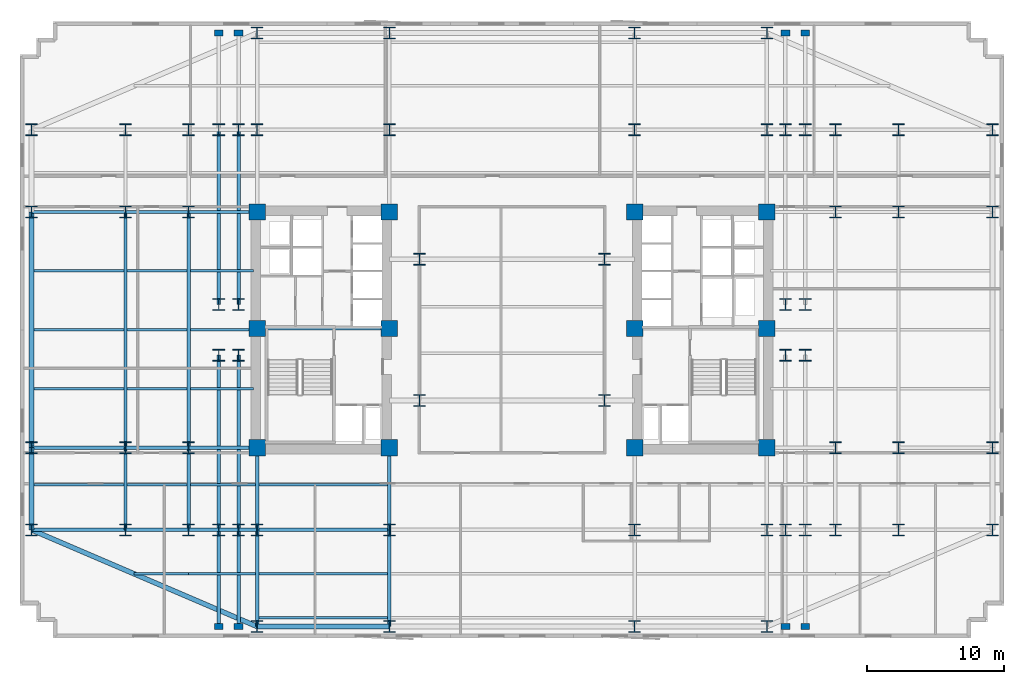
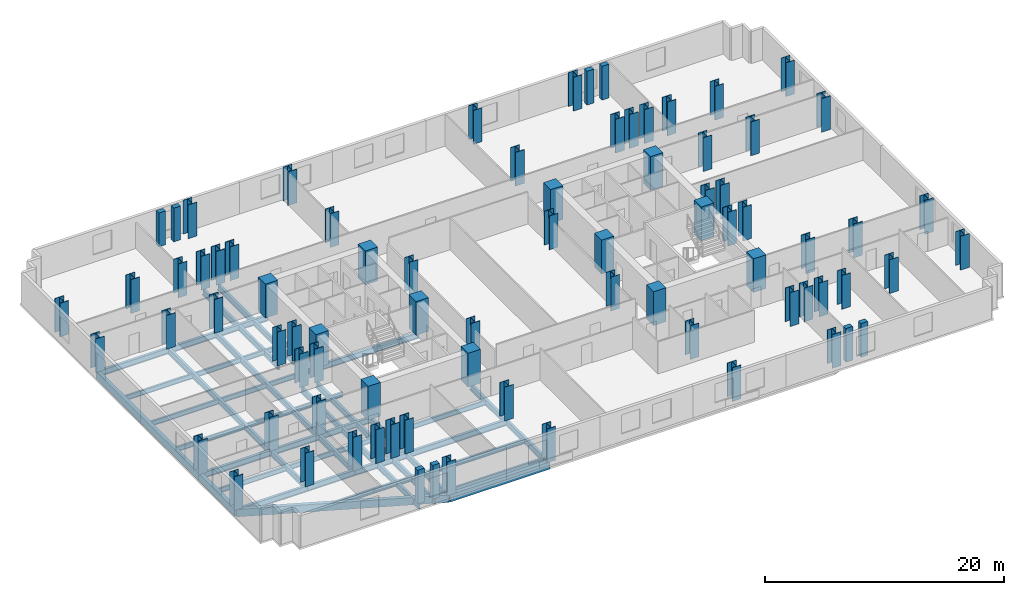
# One storey, part 1 of 10: 80 columns, 46 beams.
"""IFC4 building model written with IfcOpenShell, lengths in metres."""

from ifc_helpers import new_model, si_unit, direction, frame, origin, origin_2d, place, context, subcontext, project, spatial, rectangle, i_section, extrude, material, material_profile, profile_set, type_object, element, save


model = new_model("IFC4")

# Units and contexts
model_context = context("Model", 3, precision=1e-05, world=origin(), true_north=direction((0.0, 1.0)))
body_context = subcontext(model_context, "Body", "Model", "MODEL_VIEW")
ifc_project = project(units=[si_unit("LENGTHUNIT", "METRE"), si_unit("AREAUNIT", "SQUARE_METRE"), si_unit("VOLUMEUNIT", "CUBIC_METRE"), si_unit("PLANEANGLEUNIT", "RADIAN"), si_unit("MASSUNIT", "GRAM", prefix="KILO")], contexts=[model_context])

# Site, building, storey
site_placement = place(None, origin())
site = spatial("IfcSite", under=ifc_project, at=site_placement, CompositionType="ELEMENT")
building_placement = place(site_placement, origin())
building = spatial("IfcBuilding", under=site, at=building_placement, Name="Velakula Bourse", CompositionType="ELEMENT")
storey_placement = place(building_placement, frame((0.0, 0.0, 48.449951171875)))
storey = spatial("IfcBuildingStorey", under=building, at=storey_placement, Name="L12", CompositionType="ELEMENT", Elevation=48.449951171875)

# Columns
ifc_material_1 = material(Name="Concrete M70 (fck 70 MPa)", Category="concrete")
ifc_material_profile_1 = material_profile(ifc_material_1, rectangle(XDim=1.199951171875, YDim=1.199951171875, at=origin_2d()), Name="Concrete M70 (fck 70 MPa)")
ifc_profile_set_1 = profile_set([ifc_material_profile_1], Name="Concrete M70 (fck 70 MPa)")
column_type_1 = type_object("IfcColumnType", Name="COL-RC-1200", PredefinedType="COLUMN", material=ifc_profile_set_1)
for number, where, z_axis, x_axis, name in (
    (1, (-8.949951171875, -8.60009765625, 0.0), (0.0, 0.0, 1.0), (1.0, 0.0, 0.0), "L12 Core Boundary Column 01"),
    (2, (-8.949951171875, 0.10009765625, 0.0), (0.0, 0.0, 1.0), (1.0, 0.0, 0.0), "L12 Core Boundary Column 02"),
    (3, (-8.949951171875, 8.60009765625, 0.0), (0.0, 0.0, 1.0), (1.0, 0.0, 0.0), "L12 Core Boundary Column 03"),
    (4, (-18.60009765625, -8.60009765625, 0.0), (0.0, 0.0, 1.0), (1.0, 0.0, 0.0), "L12 Core Boundary Column 04"),
    (5, (-18.60009765625, 0.10009765625, 0.0), (0.0, 0.0, 1.0), (1.0, 0.0, 0.0), "L12 Core Boundary Column 05"),
    (6, (-18.60009765625, 8.60009765625, 0.0), (0.0, 0.0, 1.0), (1.0, 0.0, 0.0), "L12 Core Boundary Column 06"),
    (7, (8.949951171875, -8.60009765625, 0.0), (0.0, 0.0, 1.0), (1.0, 0.0, 0.0), "L12 Core Boundary Column 07"),
    (8, (8.949951171875, 0.10009765625, 0.0), (0.0, 0.0, 1.0), (1.0, 0.0, 0.0), "L12 Core Boundary Column 08"),
    (9, (8.949951171875, 8.60009765625, 0.0), (0.0, 0.0, 1.0), (1.0, 0.0, 0.0), "L12 Core Boundary Column 09"),
    (10, (18.60009765625, -8.60009765625, 0.0), (0.0, 0.0, 1.0), (1.0, 0.0, 0.0), "L12 Core Boundary Column 10"),
    (11, (18.60009765625, 0.10009765625, 0.0), (0.0, 0.0, 1.0), (1.0, 0.0, 0.0), "L12 Core Boundary Column 11"),
    (12, (18.60009765625, 8.60009765625, 0.0), (0.0, 0.0, 1.0), (1.0, 0.0, 0.0), "L12 Core Boundary Column 12"),
):
    element("IfcColumn", number, at=place(storey_placement, frame(where, z_axis=z_axis, x_axis=x_axis)), inside=storey, type_object=column_type_1, Name=name, PredefinedType="COLUMN", context=body_context, shape_type="SweptSolid", body=[
        extrude(rectangle(XDim=1.199951171875, YDim=1.199951171875, at=origin_2d()), origin(), (0.0, 0.0, 1.0), 3.449951171875),
    ])
ifc_material_2 = material(Name="Steel IS 2062 Grade 450 (E450)", Category="steel")
ifc_material_profile_2 = material_profile(ifc_material_2, i_section(OverallWidth=0.85009765625, OverallDepth=0.85009765625, WebThickness=0.031982421875, FlangeThickness=0.048095703125, at=origin_2d()), Name="Steel IS 2062 Grade 450 (E450)")
ifc_profile_set_2 = profile_set([ifc_material_profile_2], Name="Steel IS 2062 Grade 450 (E450)")
column_type_2 = type_object("IfcColumnType", Name="COL-STL-850", PredefinedType="COLUMN", material=ifc_profile_set_2)
for number, where, z_axis, x_axis, name in (
    (13, (-6.75, -5.14990234375, 0.0), (0.0, 0.0, 1.0), (1.0, 0.0, 0.0), "L12 Central Spine Column 01"),
    (14, (-6.75, 5.14990234375, 0.0), (0.0, 0.0, 1.0), (1.0, 0.0, 0.0), "L12 Central Spine Column 02"),
    (15, (6.75, -5.14990234375, 0.0), (0.0, 0.0, 1.0), (1.0, 0.0, 0.0), "L12 Central Spine Column 03"),
    (16, (6.75, 5.14990234375, 0.0), (0.0, 0.0, 1.0), (1.0, 0.0, 0.0), "L12 Central Spine Column 04"),
    (17, (-21.39990234375, -14.60009765625, 0.0), (0.0, 0.0, 1.0), (1.0, 0.0, 0.0), "L12 Tower Fulcrum Column 01"),
    (18, (-21.39990234375, 14.60009765625, 0.0), (0.0, 0.0, 1.0), (1.0, 0.0, 0.0), "L12 Tower Fulcrum Column 02"),
    (19, (-19.949951171875, -14.60009765625, 0.0), (0.0, 0.0, 1.0), (1.0, 0.0, 0.0), "L12 Tower Fulcrum Column 03"),
    (20, (-19.949951171875, 14.60009765625, 0.0), (0.0, 0.0, 1.0), (1.0, 0.0, 0.0), "L12 Tower Fulcrum Column 04"),
    (21, (-18.60009765625, -14.60009765625, 0.0), (0.0, 0.0, 1.0), (1.0, 0.0, 0.0), "L12 Tower Fulcrum Column 05"),
    (22, (-18.60009765625, 14.60009765625, 0.0), (0.0, 0.0, 1.0), (1.0, 0.0, 0.0), "L12 Tower Fulcrum Column 06"),
    (23, (-8.949951171875, -14.60009765625, 0.0), (0.0, 0.0, 1.0), (1.0, 0.0, 0.0), "L12 Tower Fulcrum Column 07"),
    (24, (-8.949951171875, 14.60009765625, 0.0), (0.0, 0.0, 1.0), (1.0, 0.0, 0.0), "L12 Tower Fulcrum Column 08"),
    (25, (8.949951171875, -14.60009765625, 0.0), (0.0, 0.0, 1.0), (1.0, 0.0, 0.0), "L12 Tower Fulcrum Column 09"),
    (26, (8.949951171875, 14.60009765625, 0.0), (0.0, 0.0, 1.0), (1.0, 0.0, 0.0), "L12 Tower Fulcrum Column 10"),
    (27, (18.60009765625, -14.60009765625, 0.0), (0.0, 0.0, 1.0), (1.0, 0.0, 0.0), "L12 Tower Fulcrum Column 11"),
    (28, (18.60009765625, 14.60009765625, 0.0), (0.0, 0.0, 1.0), (1.0, 0.0, 0.0), "L12 Tower Fulcrum Column 12"),
    (29, (19.949951171875, -14.60009765625, 0.0), (0.0, 0.0, 1.0), (1.0, 0.0, 0.0), "L12 Tower Fulcrum Column 13"),
    (30, (19.949951171875, 14.60009765625, 0.0), (0.0, 0.0, 1.0), (1.0, 0.0, 0.0), "L12 Tower Fulcrum Column 14"),
    (31, (21.39990234375, -14.60009765625, 0.0), (0.0, 0.0, 1.0), (1.0, 0.0, 0.0), "L12 Tower Fulcrum Column 15"),
    (32, (21.39990234375, 14.60009765625, 0.0), (0.0, 0.0, 1.0), (1.0, 0.0, 0.0), "L12 Tower Fulcrum Column 16"),
    (33, (-21.39990234375, -1.85009765625, 0.0), (0.0, 0.0, 1.0), (1.0, 0.0, 0.0), "L12 Tower Fulcrum Column 17"),
    (34, (-21.39990234375, 1.85009765625, 0.0), (0.0, 0.0, 1.0), (1.0, 0.0, 0.0), "L12 Tower Fulcrum Column 18"),
    (35, (-19.949951171875, -1.85009765625, 0.0), (0.0, 0.0, 1.0), (1.0, 0.0, 0.0), "L12 Tower Fulcrum Column 19"),
    (36, (-19.949951171875, 1.85009765625, 0.0), (0.0, 0.0, 1.0), (1.0, 0.0, 0.0), "L12 Tower Fulcrum Column 20"),
    (37, (19.949951171875, -1.85009765625, 0.0), (0.0, 0.0, 1.0), (1.0, 0.0, 0.0), "L12 Tower Fulcrum Column 21"),
    (38, (19.949951171875, 1.85009765625, 0.0), (0.0, 0.0, 1.0), (1.0, 0.0, 0.0), "L12 Tower Fulcrum Column 22"),
    (39, (21.39990234375, -1.85009765625, 0.0), (0.0, 0.0, 1.0), (1.0, 0.0, 0.0), "L12 Tower Fulcrum Column 23"),
    (40, (21.39990234375, 1.85009765625, 0.0), (0.0, 0.0, 1.0), (1.0, 0.0, 0.0), "L12 Tower Fulcrum Column 24"),
    (41, (-23.60009765625, -14.60009765625, 0.0), (0.0, 0.0, 1.0), (1.0, 0.0, 0.0), "L12 Mid-Wing Plumb Column 01"),
    (42, (-23.60009765625, -8.60009765625, 0.0), (0.0, 0.0, 1.0), (1.0, 0.0, 0.0), "L12 Mid-Wing Plumb Column 02"),
    (43, (-23.60009765625, 8.60009765625, 0.0), (0.0, 0.0, 1.0), (1.0, 0.0, 0.0), "L12 Mid-Wing Plumb Column 03"),
    (44, (-23.60009765625, 14.60009765625, 0.0), (0.0, 0.0, 1.0), (1.0, 0.0, 0.0), "L12 Mid-Wing Plumb Column 04"),
    (45, (23.60009765625, -14.60009765625, 0.0), (0.0, 0.0, 1.0), (1.0, 0.0, 0.0), "L12 Mid-Wing Plumb Column 05"),
    (46, (23.60009765625, -8.60009765625, 0.0), (0.0, 0.0, 1.0), (1.0, 0.0, 0.0), "L12 Mid-Wing Plumb Column 06"),
    (47, (23.60009765625, 8.60009765625, 0.0), (0.0, 0.0, 1.0), (1.0, 0.0, 0.0), "L12 Mid-Wing Plumb Column 07"),
    (48, (23.60009765625, 14.60009765625, 0.0), (0.0, 0.0, 1.0), (1.0, 0.0, 0.0), "L12 Mid-Wing Plumb Column 08"),
    (49, (-28.199951171875, -14.60009765625, 0.0), (0.0, 0.0, 1.0), (1.0, 0.0, 0.0), "L12 Lower Wing Column 01"),
    (50, (-28.199951171875, -8.60009765625, 0.0), (0.0, 0.0, 1.0), (1.0, 0.0, 0.0), "L12 Lower Wing Column 02"),
    (51, (-28.199951171875, 8.60009765625, 0.0), (0.0, 0.0, 1.0), (1.0, 0.0, 0.0), "L12 Lower Wing Column 03"),
    (52, (-28.199951171875, 14.60009765625, 0.0), (0.0, 0.0, 1.0), (1.0, 0.0, 0.0), "L12 Lower Wing Column 04"),
    (53, (28.199951171875, -14.60009765625, 0.0), (0.0, 0.0, 1.0), (1.0, 0.0, 0.0), "L12 Lower Wing Column 05"),
    (54, (28.199951171875, -8.60009765625, 0.0), (0.0, 0.0, 1.0), (1.0, 0.0, 0.0), "L12 Lower Wing Column 06"),
    (55, (28.199951171875, 8.60009765625, 0.0), (0.0, 0.0, 1.0), (1.0, 0.0, 0.0), "L12 Lower Wing Column 07"),
    (56, (28.199951171875, 14.60009765625, 0.0), (0.0, 0.0, 1.0), (1.0, 0.0, 0.0), "L12 Lower Wing Column 08"),
    (57, (-18.60009765625, -21.64990234375, 0.0), (0.0, 0.0, 1.0), (1.0, 0.0, 0.0), "L12 Block B1 Perimeter Column S1"),
    (58, (-8.949951171875, -21.64990234375, 0.0), (0.0, 0.0, 1.0), (1.0, 0.0, 0.0), "L12 Block B1 Perimeter Column S2"),
    (59, (8.949951171875, -21.64990234375, 0.0), (0.0, 0.0, 1.0), (1.0, 0.0, 0.0), "L12 Block B1 Perimeter Column S3"),
    (60, (18.60009765625, -21.64990234375, 0.0), (0.0, 0.0, 1.0), (1.0, 0.0, 0.0), "L12 Block B1 Perimeter Column S4"),
    (61, (-18.60009765625, 21.64990234375, 0.0), (0.0, 0.0, 1.0), (1.0, 0.0, 0.0), "L12 Block B1 Perimeter Column N1"),
    (62, (-8.949951171875, 21.64990234375, 0.0), (0.0, 0.0, 1.0), (1.0, 0.0, 0.0), "L12 Block B1 Perimeter Column N2"),
    (63, (8.949951171875, 21.64990234375, 0.0), (0.0, 0.0, 1.0), (1.0, 0.0, 0.0), "L12 Block B1 Perimeter Column N3"),
    (64, (18.60009765625, 21.64990234375, 0.0), (0.0, 0.0, 1.0), (1.0, 0.0, 0.0), "L12 Block B1 Perimeter Column N4"),
    (65, (-35.050048828125, -14.60009765625, 0.0), (0.0, 0.0, 1.0), (1.0, 0.0, 0.0), "L12 Block B1 Perimeter Column W1"),
    (66, (-35.050048828125, -8.60009765625, 0.0), (0.0, 0.0, 1.0), (1.0, 0.0, 0.0), "L12 Block B1 Perimeter Column W2"),
    (67, (-35.050048828125, 8.60009765625, 0.0), (0.0, 0.0, 1.0), (1.0, 0.0, 0.0), "L12 Block B1 Perimeter Column W3"),
    (68, (-35.050048828125, 14.60009765625, 0.0), (0.0, 0.0, 1.0), (1.0, 0.0, 0.0), "L12 Block B1 Perimeter Column W4"),
    (69, (35.050048828125, -14.60009765625, 0.0), (0.0, 0.0, 1.0), (1.0, 0.0, 0.0), "L12 Block B1 Perimeter Column E1"),
    (70, (35.050048828125, -8.60009765625, 0.0), (0.0, 0.0, 1.0), (1.0, 0.0, 0.0), "L12 Block B1 Perimeter Column E2"),
    (71, (35.050048828125, 8.60009765625, 0.0), (0.0, 0.0, 1.0), (1.0, 0.0, 0.0), "L12 Block B1 Perimeter Column E3"),
    (72, (35.050048828125, 14.60009765625, 0.0), (0.0, 0.0, 1.0), (1.0, 0.0, 0.0), "L12 Block B1 Perimeter Column E4"),
):
    element("IfcColumn", number, at=place(storey_placement, frame(where, z_axis=z_axis, x_axis=x_axis)), inside=storey, type_object=column_type_2, Name=name, PredefinedType="COLUMN", context=body_context, shape_type="SweptSolid", body=[
        extrude(i_section(OverallWidth=0.85009765625, OverallDepth=0.85009765625, WebThickness=0.031982421875, FlangeThickness=0.048095703125, at=origin_2d()), origin(), (0.0, 0.0, 1.0), 3.449951171875),
    ])
ifc_material_3 = material(Name="Precast concrete M45 (fck 45 MPa)", Category="concrete")
ifc_material_profile_3 = material_profile(ifc_material_3, rectangle(XDim=0.64990234375, YDim=0.449951171875, at=origin_2d()), Name="Precast concrete M45 (fck 45 MPa)")
ifc_profile_set_3 = profile_set([ifc_material_profile_3], Name="Precast concrete M45 (fck 45 MPa)")
column_type_3 = type_object("IfcColumnType", Name="PIL-BRICK-650", PredefinedType="PILASTER", material=ifc_profile_set_3)
for number, where, z_axis, x_axis, name in (
    (73, (-21.39990234375, -21.64990234375, 0.0), (0.0, 0.0, 1.0), (1.0, 0.0, 0.0), "L12 Brick Pier Pilaster 01"),
    (74, (-19.949951171875, -21.64990234375, 0.0), (0.0, 0.0, 1.0), (1.0, 0.0, 0.0), "L12 Brick Pier Pilaster 02"),
    (75, (19.949951171875, -21.64990234375, 0.0), (0.0, 0.0, 1.0), (1.0, 0.0, 0.0), "L12 Brick Pier Pilaster 03"),
    (76, (21.39990234375, -21.64990234375, 0.0), (0.0, 0.0, 1.0), (1.0, 0.0, 0.0), "L12 Brick Pier Pilaster 04"),
    (77, (-21.39990234375, 21.64990234375, 0.0), (0.0, 0.0, 1.0), (1.0, 0.0, 0.0), "L12 Brick Pier Pilaster 05"),
    (78, (-19.949951171875, 21.64990234375, 0.0), (0.0, 0.0, 1.0), (1.0, 0.0, 0.0), "L12 Brick Pier Pilaster 06"),
    (79, (19.949951171875, 21.64990234375, 0.0), (0.0, 0.0, 1.0), (1.0, 0.0, 0.0), "L12 Brick Pier Pilaster 07"),
    (80, (21.39990234375, 21.64990234375, 0.0), (0.0, 0.0, 1.0), (1.0, 0.0, 0.0), "L12 Brick Pier Pilaster 08"),
):
    element("IfcColumn", number, at=place(storey_placement, frame(where, z_axis=z_axis, x_axis=x_axis)), inside=storey, type_object=column_type_3, Name=name, PredefinedType="PILASTER", context=body_context, shape_type="SweptSolid", body=[
        extrude(rectangle(XDim=0.64990234375, YDim=0.449951171875, at=origin_2d()), origin(), (0.0, 0.0, 1.0), 3.449951171875),
    ])

# Beams
ifc_material_4 = material(Name="Steel IS 2062 Grade 350 (E350)", Category="steel")
ifc_material_profile_4 = material_profile(ifc_material_4, i_section(OverallWidth=0.25, OverallDepth=0.60009765625, WebThickness=0.01171875, FlangeThickness=0.023681640625, at=origin_2d()), Name="Steel IS 2062 Grade 350 (E350)")
ifc_profile_set_4 = profile_set([ifc_material_profile_4], Name="Steel IS 2062 Grade 350 (E350)")
beam_type_1 = type_object("IfcBeamType", Name="BM-GRD-600H", PredefinedType="BEAM", material=ifc_profile_set_4)
beam_1_placement = place(storey_placement, frame((-18.60009765625, 0.10009765625, -0.47998046875), z_axis=(1.0, 0.0, 0.0), x_axis=(0.0, 1.0, 0.0)))
element("IfcBeam", 81, at=beam_1_placement, inside=storey, type_object=beam_type_1, Name="L12 Primary Backbone Girder CRW-M", PredefinedType="BEAM", context=body_context, shape_type="SweptSolid", body=[
    extrude(i_section(OverallWidth=0.25, OverallDepth=0.60009765625, WebThickness=0.01171875, FlangeThickness=0.023681640625, at=origin_2d()), origin(), (0.0, 0.0, 1.0), 9.650146484375),
])
for number, where, z_axis, x_axis, name in (
    (82, (-18.60009765625, -14.60009765625, -0.47998046875), (0.0, 1.0, 0.0), (-1.0, 0.0, 0.0), "L12 Fulcrum Grid Girder FLC-WS"),
    (83, (-8.949951171875, -14.60009765625, -0.47998046875), (0.0, 1.0, 0.0), (-1.0, 0.0, 0.0), "L12 Fulcrum Grid Girder FLC-WCS"),
):
    element("IfcBeam", number, at=place(storey_placement, frame(where, z_axis=z_axis, x_axis=x_axis)), inside=storey, type_object=beam_type_1, Name=name, PredefinedType="BEAM", context=body_context, shape_type="SweptSolid", body=[
        extrude(i_section(OverallWidth=0.25, OverallDepth=0.60009765625, WebThickness=0.01171875, FlangeThickness=0.023681640625, at=origin_2d()), origin(), (0.0, 0.0, 1.0), 6.0),
    ])
beam_2_placement = place(storey_placement, frame((-18.60009765625, -14.60009765625, -0.47998046875), z_axis=(1.0, 0.0, 0.0), x_axis=(0.0, 1.0, 0.0)))
element("IfcBeam", 84, at=beam_2_placement, inside=storey, type_object=beam_type_1, Name="L12 Fulcrum Grid Girder FLC-S1", PredefinedType="BEAM", context=body_context, shape_type="SweptSolid", body=[
    extrude(i_section(OverallWidth=0.25, OverallDepth=0.60009765625, WebThickness=0.01171875, FlangeThickness=0.023681640625, at=origin_2d()), origin(), (0.0, 0.0, 1.0), 9.650146484375),
])
for number, where, z_axis, x_axis, name in (
    (85, (-21.39990234375, -14.60009765625, -0.47998046875), (0.0, 1.0, 0.0), (-1.0, 0.0, 0.0), "L12 Fulcrum Grid Girder FLC-PSW1"),
    (86, (-21.39990234375, 1.85009765625, -0.47998046875), (0.0, 1.0, 0.0), (-1.0, 0.0, 0.0), "L12 Fulcrum Grid Girder FLC-PNW1"),
    (87, (-19.949951171875, -14.60009765625, -0.47998046875), (0.0, 1.0, 0.0), (-1.0, 0.0, 0.0), "L12 Fulcrum Grid Girder FLC-PSW2"),
    (88, (-19.949951171875, 1.85009765625, -0.47998046875), (0.0, 1.0, 0.0), (-1.0, 0.0, 0.0), "L12 Fulcrum Grid Girder FLC-PNW2"),
):
    element("IfcBeam", number, at=place(storey_placement, frame(where, z_axis=z_axis, x_axis=x_axis)), inside=storey, type_object=beam_type_1, Name=name, PredefinedType="BEAM", context=body_context, shape_type="SweptSolid", body=[
        extrude(i_section(OverallWidth=0.25, OverallDepth=0.60009765625, WebThickness=0.01171875, FlangeThickness=0.023681640625, at=origin_2d()), origin(), (0.0, 0.0, 1.0), 12.75),
    ])
for number, where, z_axis, x_axis, name in (
    (89, (-23.60009765625, -14.60009765625, -0.47998046875), (1.0, 0.0, 0.0), (0.0, 1.0, 0.0), "L12 Fulcrum Grid Girder MWG-WS1"),
    (90, (-23.60009765625, -8.60009765625, -0.47998046875), (1.0, 0.0, 0.0), (0.0, 1.0, 0.0), "L12 Fulcrum Grid Girder MWG-WS2"),
    (91, (-23.60009765625, 8.60009765625, -0.47998046875), (1.0, 0.0, 0.0), (0.0, 1.0, 0.0), "L12 Fulcrum Grid Girder MWG-WN1"),
):
    element("IfcBeam", number, at=place(storey_placement, frame(where, z_axis=z_axis, x_axis=x_axis)), inside=storey, type_object=beam_type_1, Name=name, PredefinedType="BEAM", context=body_context, shape_type="SweptSolid", body=[
        extrude(i_section(OverallWidth=0.25, OverallDepth=0.60009765625, WebThickness=0.01171875, FlangeThickness=0.023681640625, at=origin_2d()), origin(), (0.0, 0.0, 1.0), 5.0),
    ])
beam_3_placement = place(storey_placement, frame((-23.60009765625, -14.60009765625, -0.47998046875), z_axis=(0.0, 1.0, 0.0), x_axis=(-1.0, 0.0, 0.0)))
element("IfcBeam", 92, at=beam_3_placement, inside=storey, type_object=beam_type_1, Name="L12 Fulcrum Grid Girder MWG-WNS1", PredefinedType="BEAM", context=body_context, shape_type="SweptSolid", body=[
    extrude(i_section(OverallWidth=0.25, OverallDepth=0.60009765625, WebThickness=0.01171875, FlangeThickness=0.023681640625, at=origin_2d()), origin(), (0.0, 0.0, 1.0), 6.0),
])
beam_4_placement = place(storey_placement, frame((-23.60009765625, -8.60009765625, -0.47998046875), z_axis=(0.0, 1.0, 0.0), x_axis=(-1.0, 0.0, 0.0)))
element("IfcBeam", 93, at=beam_4_placement, inside=storey, type_object=beam_type_1, Name="L12 Fulcrum Grid Girder MWG-WNS2", PredefinedType="BEAM", context=body_context, shape_type="SweptSolid", body=[
    extrude(i_section(OverallWidth=0.25, OverallDepth=0.60009765625, WebThickness=0.01171875, FlangeThickness=0.023681640625, at=origin_2d()), origin(), (0.0, 0.0, 1.0), 17.2001953125),
])
for number, where, z_axis, x_axis, name in (
    (94, (-28.199951171875, -14.60009765625, -0.47998046875), (1.0, 0.0, 0.0), (0.0, 1.0, 0.0), "L12 Fulcrum Grid Girder WNG-WS1"),
    (95, (-28.199951171875, -8.60009765625, -0.47998046875), (1.0, 0.0, 0.0), (0.0, 1.0, 0.0), "L12 Fulcrum Grid Girder WNG-WS2"),
    (96, (-28.199951171875, 8.60009765625, -0.47998046875), (1.0, 0.0, 0.0), (0.0, 1.0, 0.0), "L12 Fulcrum Grid Girder WNG-WN1"),
):
    element("IfcBeam", number, at=place(storey_placement, frame(where, z_axis=z_axis, x_axis=x_axis)), inside=storey, type_object=beam_type_1, Name=name, PredefinedType="BEAM", context=body_context, shape_type="SweptSolid", body=[
        extrude(i_section(OverallWidth=0.25, OverallDepth=0.60009765625, WebThickness=0.01171875, FlangeThickness=0.023681640625, at=origin_2d()), origin(), (0.0, 0.0, 1.0), 4.599853515625),
    ])
beam_5_placement = place(storey_placement, frame((-28.199951171875, -14.60009765625, -0.47998046875), z_axis=(0.0, 1.0, 0.0), x_axis=(-1.0, 0.0, 0.0)))
element("IfcBeam", 97, at=beam_5_placement, inside=storey, type_object=beam_type_1, Name="L12 Fulcrum Grid Girder WNG-WNS1", PredefinedType="BEAM", context=body_context, shape_type="SweptSolid", body=[
    extrude(i_section(OverallWidth=0.25, OverallDepth=0.60009765625, WebThickness=0.01171875, FlangeThickness=0.023681640625, at=origin_2d()), origin(), (0.0, 0.0, 1.0), 6.0),
])
beam_6_placement = place(storey_placement, frame((-28.199951171875, -8.60009765625, -0.47998046875), z_axis=(0.0, 1.0, 0.0), x_axis=(-1.0, 0.0, 0.0)))
element("IfcBeam", 98, at=beam_6_placement, inside=storey, type_object=beam_type_1, Name="L12 Fulcrum Grid Girder WNG-WNS2", PredefinedType="BEAM", context=body_context, shape_type="SweptSolid", body=[
    extrude(i_section(OverallWidth=0.25, OverallDepth=0.60009765625, WebThickness=0.01171875, FlangeThickness=0.023681640625, at=origin_2d()), origin(), (0.0, 0.0, 1.0), 17.2001953125),
])
for number, where, z_axis, x_axis, name in (
    (99, (-18.60009765625, -14.60009765625, -0.47998046875), (0.0, -1.0, 0.0), (1.0, 0.0, 0.0), "L12 Perimeter Tie Girder S1"),
    (100, (-8.949951171875, -14.60009765625, -0.47998046875), (0.0, -1.0, 0.0), (1.0, 0.0, 0.0), "L12 Perimeter Tie Girder S2"),
):
    element("IfcBeam", number, at=place(storey_placement, frame(where, z_axis=z_axis, x_axis=x_axis)), inside=storey, type_object=beam_type_1, Name=name, PredefinedType="BEAM", context=body_context, shape_type="SweptSolid", body=[
        extrude(i_section(OverallWidth=0.25, OverallDepth=0.60009765625, WebThickness=0.01171875, FlangeThickness=0.023681640625, at=origin_2d()), origin(), (0.0, 0.0, 1.0), 7.0498046875),
    ])
for number, where, z_axis, x_axis, name in (
    (101, (-28.199951171875, -14.60009765625, -0.47998046875), (-1.0, 0.0, 0.0), (0.0, -1.0, 0.0), "L12 Perimeter Tie Girder W1"),
    (102, (-28.199951171875, -8.60009765625, -0.47998046875), (-1.0, 0.0, 0.0), (0.0, -1.0, 0.0), "L12 Perimeter Tie Girder W2"),
    (103, (-28.199951171875, 8.60009765625, -0.47998046875), (-1.0, 0.0, 0.0), (0.0, -1.0, 0.0), "L12 Perimeter Tie Girder W3"),
):
    element("IfcBeam", number, at=place(storey_placement, frame(where, z_axis=z_axis, x_axis=x_axis)), inside=storey, type_object=beam_type_1, Name=name, PredefinedType="BEAM", context=body_context, shape_type="SweptSolid", body=[
        extrude(i_section(OverallWidth=0.25, OverallDepth=0.60009765625, WebThickness=0.01171875, FlangeThickness=0.023681640625, at=origin_2d()), origin(), (0.0, 0.0, 1.0), 6.85009765625),
    ])
for number, where, z_axis, x_axis, name in (
    (104, (-21.39990234375, -14.60009765625, -0.47998046875), (0.0, -1.0, 0.0), (1.0, 0.0, 0.0), "L12 Perimeter Tie Girder P01"),
    (105, (-19.949951171875, -14.60009765625, -0.47998046875), (0.0, -1.0, 0.0), (1.0, 0.0, 0.0), "L12 Perimeter Tie Girder P02"),
):
    element("IfcBeam", number, at=place(storey_placement, frame(where, z_axis=z_axis, x_axis=x_axis)), inside=storey, type_object=beam_type_1, Name=name, PredefinedType="BEAM", context=body_context, shape_type="SweptSolid", body=[
        extrude(i_section(OverallWidth=0.25, OverallDepth=0.60009765625, WebThickness=0.01171875, FlangeThickness=0.023681640625, at=origin_2d()), origin(), (0.0, 0.0, 1.0), 7.0498046875),
    ])
ifc_material_profile_5 = material_profile(ifc_material_4, i_section(OverallWidth=0.179931640625, OverallDepth=0.5, WebThickness=0.01025390625, FlangeThickness=0.01708984375, at=origin_2d()), Name="Steel IS 2062 Grade 350 (E350)")
ifc_profile_set_5 = profile_set([ifc_material_profile_5], Name="Steel IS 2062 Grade 350 (E350)")
beam_type_2 = type_object("IfcBeamType", Name="JST-TWR-500", PredefinedType="JOIST", material=ifc_profile_set_5)
beam_7_placement = place(storey_placement, frame((-18.47509765625, -21.0, -0.429931640625), z_axis=(1.0, 0.0, 0.0), x_axis=(0.0, 1.0, 0.0)))
element("IfcBeam", 106, at=beam_7_placement, inside=storey, type_object=beam_type_2, Name="L12 Trading Floor Composite Joist 01", PredefinedType="JOIST", context=body_context, shape_type="SweptSolid", body=[
    extrude(i_section(OverallWidth=0.179931640625, OverallDepth=0.5, WebThickness=0.01025390625, FlangeThickness=0.01708984375, at=origin_2d()), origin(), (0.0, 0.0, 1.0), 9.400146484375),
])
beam_8_placement = place(storey_placement, frame((-27.583251953125, -17.800048828125, -0.429931640625), z_axis=(1.0, 0.0, 0.0), x_axis=(0.0, 1.0, 0.0)))
element("IfcBeam", 107, at=beam_8_placement, inside=storey, type_object=beam_type_2, Name="L12 Trading Floor Composite Joist 04", PredefinedType="JOIST", context=body_context, shape_type="SweptSolid", body=[
    extrude(i_section(OverallWidth=0.179931640625, OverallDepth=0.5, WebThickness=0.01025390625, FlangeThickness=0.01708984375, at=origin_2d()), origin(), (0.0, 0.0, 1.0), 3.983154296875),
])
beam_9_placement = place(storey_placement, frame((-23.60009765625, -17.800048828125, -0.429931640625), z_axis=(1.0, 0.0, 0.0), x_axis=(0.0, 1.0, 0.0)))
element("IfcBeam", 108, at=beam_9_placement, inside=storey, type_object=beam_type_2, Name="L12 Trading Floor Composite Joist 05", PredefinedType="JOIST", context=body_context, shape_type="SweptSolid", body=[
    extrude(i_section(OverallWidth=0.179931640625, OverallDepth=0.5, WebThickness=0.01025390625, FlangeThickness=0.01708984375, at=origin_2d()), origin(), (0.0, 0.0, 1.0), 4.875),
])
beam_10_placement = place(storey_placement, frame((-18.47509765625, -17.800048828125, -0.429931640625), z_axis=(1.0, 0.0, 0.0), x_axis=(0.0, 1.0, 0.0)))
element("IfcBeam", 109, at=beam_10_placement, inside=storey, type_object=beam_type_2, Name="L12 Trading Floor Composite Joist 06", PredefinedType="JOIST", context=body_context, shape_type="SweptSolid", body=[
    extrude(i_section(OverallWidth=0.179931640625, OverallDepth=0.5, WebThickness=0.01025390625, FlangeThickness=0.01708984375, at=origin_2d()), origin(), (0.0, 0.0, 1.0), 9.400146484375),
])
beam_11_placement = place(storey_placement, frame((-34.875, -11.300048828125, -0.429931640625), z_axis=(1.0, 0.0, 0.0), x_axis=(0.0, 1.0, 0.0)))
element("IfcBeam", 110, at=beam_11_placement, inside=storey, type_object=beam_type_2, Name="L12 Trading Floor Composite Joist 11", PredefinedType="JOIST", context=body_context, shape_type="SweptSolid", body=[
    extrude(i_section(OverallWidth=0.179931640625, OverallDepth=0.5, WebThickness=0.01025390625, FlangeThickness=0.01708984375, at=origin_2d()), origin(), (0.0, 0.0, 1.0), 6.550048828125),
])
beam_12_placement = place(storey_placement, frame((-28.074951171875, -11.300048828125, -0.429931640625), z_axis=(1.0, 0.0, 0.0), x_axis=(0.0, 1.0, 0.0)))
element("IfcBeam", 111, at=beam_12_placement, inside=storey, type_object=beam_type_2, Name="L12 Trading Floor Composite Joist 12", PredefinedType="JOIST", context=body_context, shape_type="SweptSolid", body=[
    extrude(i_section(OverallWidth=0.179931640625, OverallDepth=0.5, WebThickness=0.01025390625, FlangeThickness=0.01708984375, at=origin_2d()), origin(), (0.0, 0.0, 1.0), 4.349853515625),
])
beam_13_placement = place(storey_placement, frame((-23.47509765625, -11.300048828125, -0.429931640625), z_axis=(1.0, 0.0, 0.0), x_axis=(0.0, 1.0, 0.0)))
element("IfcBeam", 112, at=beam_13_placement, inside=storey, type_object=beam_type_2, Name="L12 Trading Floor Composite Joist 13", PredefinedType="JOIST", context=body_context, shape_type="SweptSolid", body=[
    extrude(i_section(OverallWidth=0.179931640625, OverallDepth=0.5, WebThickness=0.01025390625, FlangeThickness=0.01708984375, at=origin_2d()), origin(), (0.0, 0.0, 1.0), 4.75),
])
beam_14_placement = place(storey_placement, frame((-18.47509765625, -11.300048828125, -0.429931640625), z_axis=(1.0, 0.0, 0.0), x_axis=(0.0, 1.0, 0.0)))
element("IfcBeam", 113, at=beam_14_placement, inside=storey, type_object=beam_type_2, Name="L12 Trading Floor Composite Joist 14", PredefinedType="JOIST", context=body_context, shape_type="SweptSolid", body=[
    extrude(i_section(OverallWidth=0.179931640625, OverallDepth=0.5, WebThickness=0.01025390625, FlangeThickness=0.01708984375, at=origin_2d()), origin(), (0.0, 0.0, 1.0), 9.400146484375),
])
beam_15_placement = place(storey_placement, frame((-34.875, -4.300048828125, -0.429931640625), z_axis=(1.0, 0.0, 0.0), x_axis=(0.0, 1.0, 0.0)))
element("IfcBeam", 114, at=beam_15_placement, inside=storey, type_object=beam_type_2, Name="L12 Trading Floor Composite Joist 41", PredefinedType="JOIST", context=body_context, shape_type="SweptSolid", body=[
    extrude(i_section(OverallWidth=0.179931640625, OverallDepth=0.5, WebThickness=0.01025390625, FlangeThickness=0.01708984375, at=origin_2d()), origin(), (0.0, 0.0, 1.0), 6.550048828125),
])
beam_16_placement = place(storey_placement, frame((-28.074951171875, -4.300048828125, -0.429931640625), z_axis=(1.0, 0.0, 0.0), x_axis=(0.0, 1.0, 0.0)))
element("IfcBeam", 115, at=beam_16_placement, inside=storey, type_object=beam_type_2, Name="L12 Trading Floor Composite Joist 42", PredefinedType="JOIST", context=body_context, shape_type="SweptSolid", body=[
    extrude(i_section(OverallWidth=0.179931640625, OverallDepth=0.5, WebThickness=0.01025390625, FlangeThickness=0.01708984375, at=origin_2d()), origin(), (0.0, 0.0, 1.0), 4.349853515625),
])
beam_17_placement = place(storey_placement, frame((-23.47509765625, -4.300048828125, -0.429931640625), z_axis=(1.0, 0.0, 0.0), x_axis=(0.0, 1.0, 0.0)))
element("IfcBeam", 116, at=beam_17_placement, inside=storey, type_object=beam_type_2, Name="L12 Trading Floor Composite Joist 43", PredefinedType="JOIST", context=body_context, shape_type="SweptSolid", body=[
    extrude(i_section(OverallWidth=0.179931640625, OverallDepth=0.5, WebThickness=0.01025390625, FlangeThickness=0.01708984375, at=origin_2d()), origin(), (0.0, 0.0, 1.0), 4.625),
])
beam_18_placement = place(storey_placement, frame((-34.875, 0.0, -0.429931640625), z_axis=(1.0, 0.0, 0.0), x_axis=(0.0, 1.0, 0.0)))
element("IfcBeam", 117, at=beam_18_placement, inside=storey, type_object=beam_type_2, Name="L12 Trading Floor Composite Joist 47", PredefinedType="JOIST", context=body_context, shape_type="SweptSolid", body=[
    extrude(i_section(OverallWidth=0.179931640625, OverallDepth=0.5, WebThickness=0.01025390625, FlangeThickness=0.01708984375, at=origin_2d()), origin(), (0.0, 0.0, 1.0), 6.550048828125),
])
beam_19_placement = place(storey_placement, frame((-28.074951171875, 0.0, -0.429931640625), z_axis=(1.0, 0.0, 0.0), x_axis=(0.0, 1.0, 0.0)))
element("IfcBeam", 118, at=beam_19_placement, inside=storey, type_object=beam_type_2, Name="L12 Trading Floor Composite Joist 48", PredefinedType="JOIST", context=body_context, shape_type="SweptSolid", body=[
    extrude(i_section(OverallWidth=0.179931640625, OverallDepth=0.5, WebThickness=0.01025390625, FlangeThickness=0.01708984375, at=origin_2d()), origin(), (0.0, 0.0, 1.0), 4.349853515625),
])
beam_20_placement = place(storey_placement, frame((-23.47509765625, 0.0, -0.429931640625), z_axis=(1.0, 0.0, 0.0), x_axis=(0.0, 1.0, 0.0)))
element("IfcBeam", 119, at=beam_20_placement, inside=storey, type_object=beam_type_2, Name="L12 Trading Floor Composite Joist 49", PredefinedType="JOIST", context=body_context, shape_type="SweptSolid", body=[
    extrude(i_section(OverallWidth=0.179931640625, OverallDepth=0.5, WebThickness=0.01025390625, FlangeThickness=0.01708984375, at=origin_2d()), origin(), (0.0, 0.0, 1.0), 4.625),
])
beam_21_placement = place(storey_placement, frame((-34.875, 4.300048828125, -0.429931640625), z_axis=(1.0, 0.0, 0.0), x_axis=(0.0, 1.0, 0.0)))
element("IfcBeam", 120, at=beam_21_placement, inside=storey, type_object=beam_type_2, Name="L12 Trading Floor Composite Joist 53", PredefinedType="JOIST", context=body_context, shape_type="SweptSolid", body=[
    extrude(i_section(OverallWidth=0.179931640625, OverallDepth=0.5, WebThickness=0.01025390625, FlangeThickness=0.01708984375, at=origin_2d()), origin(), (0.0, 0.0, 1.0), 6.550048828125),
])
beam_22_placement = place(storey_placement, frame((-28.074951171875, 4.300048828125, -0.429931640625), z_axis=(1.0, 0.0, 0.0), x_axis=(0.0, 1.0, 0.0)))
element("IfcBeam", 121, at=beam_22_placement, inside=storey, type_object=beam_type_2, Name="L12 Trading Floor Composite Joist 54", PredefinedType="JOIST", context=body_context, shape_type="SweptSolid", body=[
    extrude(i_section(OverallWidth=0.179931640625, OverallDepth=0.5, WebThickness=0.01025390625, FlangeThickness=0.01708984375, at=origin_2d()), origin(), (0.0, 0.0, 1.0), 4.349853515625),
])
beam_23_placement = place(storey_placement, frame((-23.47509765625, 4.300048828125, -0.429931640625), z_axis=(1.0, 0.0, 0.0), x_axis=(0.0, 1.0, 0.0)))
element("IfcBeam", 122, at=beam_23_placement, inside=storey, type_object=beam_type_2, Name="L12 Trading Floor Composite Joist 55", PredefinedType="JOIST", context=body_context, shape_type="SweptSolid", body=[
    extrude(i_section(OverallWidth=0.179931640625, OverallDepth=0.5, WebThickness=0.01025390625, FlangeThickness=0.01708984375, at=origin_2d()), origin(), (0.0, 0.0, 1.0), 4.625),
])
ifc_material_profile_6 = material_profile(ifc_material_3, rectangle(XDim=0.35009765625, YDim=0.75, at=origin_2d()), Name="Precast concrete M45 (fck 45 MPa)")
ifc_profile_set_6 = profile_set([ifc_material_profile_6], Name="Precast concrete M45 (fck 45 MPa)")
beam_type_3 = type_object("IfcBeamType", Name="SPN-BRICK-750", PredefinedType="SPANDREL", material=ifc_profile_set_6)
beam_24_placement = place(storey_placement, frame((-18.60009765625, -21.64990234375, -0.554931640625), z_axis=(1.0, 0.0, 0.0), x_axis=(0.0, 1.0, 0.0)))
element("IfcBeam", 123, at=beam_24_placement, inside=storey, type_object=beam_type_3, Name="L12 Brick-Faced Precast Spandrel S1-S2", PredefinedType="SPANDREL", context=body_context, shape_type="SweptSolid", body=[
    extrude(rectangle(XDim=0.35009765625, YDim=0.75, at=origin_2d()), origin(), (0.0, 0.0, 1.0), 9.650146484375),
])
beam_25_placement = place(storey_placement, frame((-35.050048828125, -14.60009765625, -0.554931640625), z_axis=(0.0, 1.0, 0.0), x_axis=(-1.0, 0.0, 0.0)))
element("IfcBeam", 124, at=beam_25_placement, inside=storey, type_object=beam_type_3, Name="L12 Brick-Faced Precast Spandrel W1-W2", PredefinedType="SPANDREL", context=body_context, shape_type="SweptSolid", body=[
    extrude(rectangle(XDim=0.35009765625, YDim=0.75, at=origin_2d()), origin(), (0.0, 0.0, 1.0), 6.0),
])
beam_26_placement = place(storey_placement, frame((-35.050048828125, -8.60009765625, -0.554931640625), z_axis=(0.0, 1.0, 0.0), x_axis=(-1.0, 0.0, 0.0)))
element("IfcBeam", 125, at=beam_26_placement, inside=storey, type_object=beam_type_3, Name="L12 Brick-Faced Precast Spandrel W2-W3", PredefinedType="SPANDREL", context=body_context, shape_type="SweptSolid", body=[
    extrude(rectangle(XDim=0.35009765625, YDim=0.75, at=origin_2d()), origin(), (0.0, 0.0, 1.0), 17.2001953125),
])
beam_27_placement = place(storey_placement, frame((-35.050048828125, -14.60009765625, -0.554931640625), z_axis=(0.919148557947, -0.393911066642, 0.0), x_axis=(0.393911066642, 0.919148557947, 0.0)))
element("IfcBeam", 126, at=beam_27_placement, inside=storey, type_object=beam_type_3, Name="L12 Brick-Faced Precast Spandrel W1-S1", PredefinedType="SPANDREL", context=body_context, shape_type="SweptSolid", body=[
    extrude(rectangle(XDim=0.35009765625, YDim=0.75, at=origin_2d()), origin(), (0.0, 0.0, 1.0), 17.89697265625),
])

save(model, "model.ifc")
